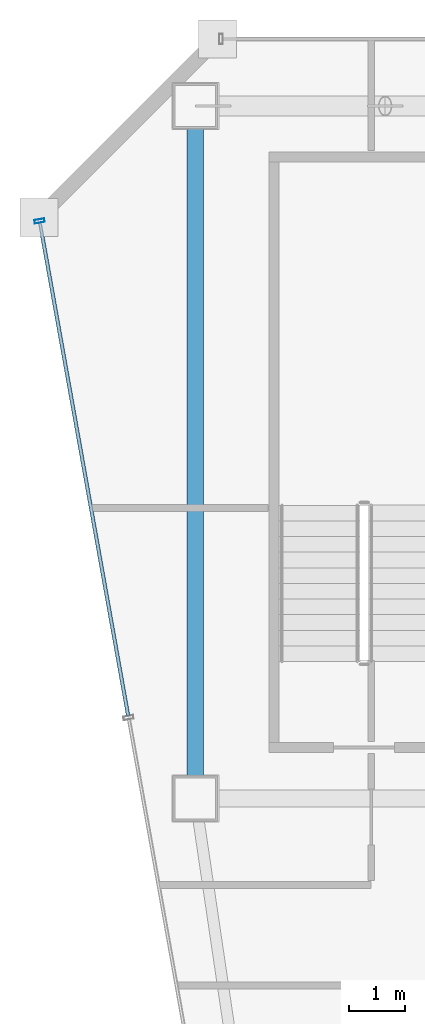
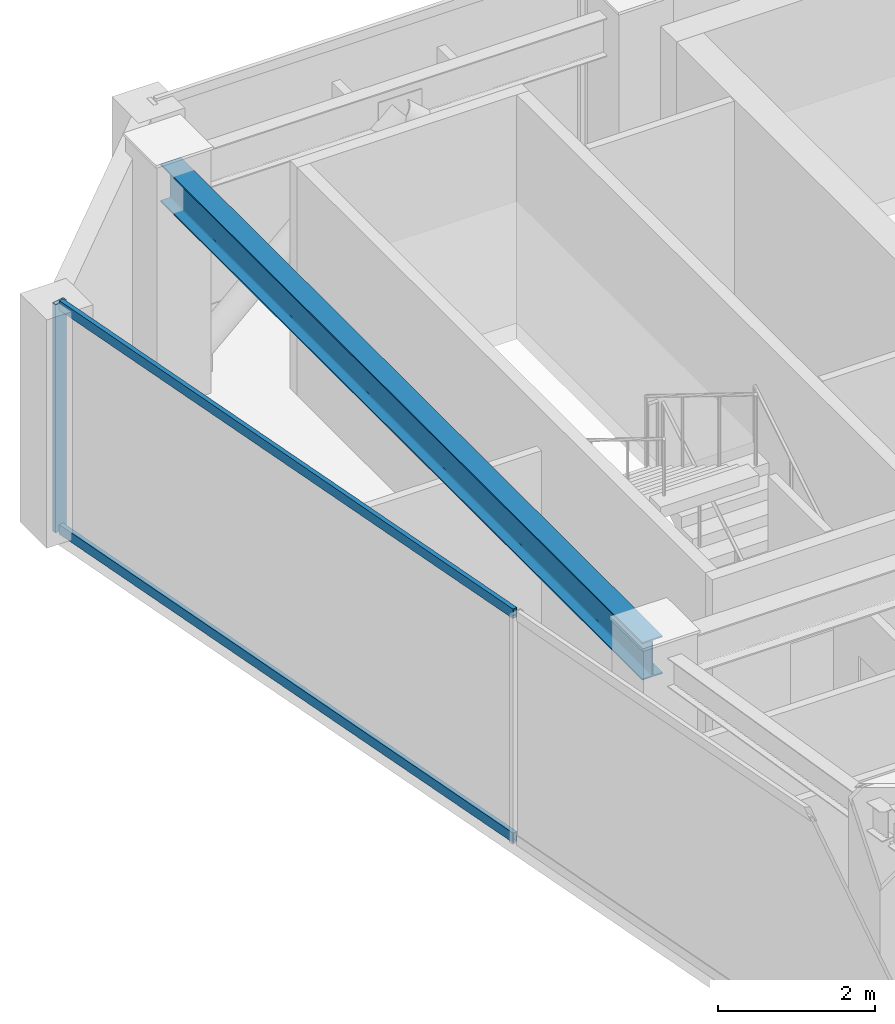
# One storey, part 10 of 32: 3 members, 1 beam, 1 element without a shape of its own.
"""IFC4 building model written with IfcOpenShell, lengths in metres."""

from ifc_helpers import new_model, si_unit, direction, frame, origin, origin_2d, place, context, subcontext, project, spatial, hollow_rectangle, i_section, extrude, material, material_profile, profile_set, type_object, element, aggregate, save


model = new_model("IFC4")

# Units and contexts
model_context = context("Model", 3, precision=1e-05, world=origin(), true_north=direction((0.0, 1.0)))
body_context = subcontext(model_context, "Body", "Model", "MODEL_VIEW")
ifc_project = project(units=[si_unit("LENGTHUNIT", "METRE"), si_unit("AREAUNIT", "SQUARE_METRE"), si_unit("VOLUMEUNIT", "CUBIC_METRE"), si_unit("PLANEANGLEUNIT", "RADIAN"), si_unit("MASSUNIT", "GRAM", prefix="KILO")], contexts=[model_context])

# Site, building, storey
site_placement = place(None, origin())
site = spatial("IfcSite", under=ifc_project, at=site_placement, CompositionType="ELEMENT")
building_placement = place(site_placement, origin())
building = spatial("IfcBuilding", under=site, at=building_placement, Name="Saevonmaru Cultural Tower", CompositionType="ELEMENT")
storey_placement = place(building_placement, frame((0.0, 0.0, 257.199951171875)))
storey = spatial("IfcBuildingStorey", under=building, at=storey_placement, Name="L60", CompositionType="ELEMENT", Elevation=257.199951171875)

# Beam
ifc_material_1 = material(Name="Steel SM355", Category="steel")
ifc_material_profile_1 = material_profile(ifc_material_1, i_section(OverallWidth=0.300048828125, OverallDepth=0.587890625, WebThickness=0.011962890625, FlangeThickness=0.02001953125, FilletRadius=0.02392578125, at=origin_2d()), Name="H-588x300x12x20")
ifc_profile_set_1 = profile_set([ifc_material_profile_1], Name="Steel SM355")
beam_type = type_object("IfcBeamType", Name="BM-G-H588", PredefinedType="BEAM", material=ifc_profile_set_1)
beam_placement = place(storey_placement, frame((6.800048828125, 54.739990234375, 3.256103515625), z_axis=(0.0, -1.0, 0.0), x_axis=(1.0, 0.0, 0.0)))
element("IfcBeam", 1, at=beam_placement, inside=storey, type_object=beam_type, Name="L60 Spine Transverse Girder W", PredefinedType="BEAM", context=body_context, shape_type="SweptSolid", body=[
    extrude(i_section(OverallWidth=0.300048828125, OverallDepth=0.587890625, WebThickness=0.011962890625, FlangeThickness=0.02001953125, FilletRadius=0.02392578125, at=origin_2d()), origin(), (0.0, 0.0, 1.0), 12.280029296875),
])

# Curtain wall, members
ifc_material_2 = material(Name="Satin Bronze Anodised Aluminium", Category="aluminium")
curtain_wall_type = type_object("IfcCurtainWallType", Name="CW-TYP-B", PredefinedType="NOTDEFINED", material=ifc_material_2)
curtain_wall_placement = place(storey_placement, origin())
curtain_wall = element("IfcCurtainWall", 2, at=curtain_wall_placement, inside=storey, type_object=curtain_wall_type, Name="L60 Unitised Curtain Wall E12", PredefinedType="NOTDEFINED")
ifc_material_profile_2 = material_profile(ifc_material_2, hollow_rectangle(XDim=0.06494140625, YDim=0.179931640625, WallThickness=0.00390625, at=origin_2d()), Name="ALU-MULL-180x65x4")
ifc_profile_set_2 = profile_set([ifc_material_profile_2], Name="Satin Bronze Anodised Aluminium")
member_type_1 = type_object("IfcMemberType", Name="ML-CW-180x65", PredefinedType="MULLION", material=ifc_profile_set_2)
member_1_placement = place(storey_placement, frame((4.010498046875, 52.740966796875, 0.0), z_axis=(0.0, 0.0, 1.0), x_axis=(0.176140740755, -0.984364993001, 0.0)))
member_1 = element("IfcMember", 3, at=member_1_placement, type_object=member_type_1, Name="CW-TW-L60-E12 mullion 1", PredefinedType="MULLION", context=body_context, shape_type="SweptSolid", body=[
    extrude(hollow_rectangle(XDim=0.06494140625, YDim=0.179931640625, WallThickness=0.00390625, at=origin_2d()), origin(), (0.0, 0.0, 1.0), 3.550048828125),
])
ifc_material_profile_3 = material_profile(ifc_material_2, hollow_rectangle(XDim=0.06494140625, YDim=0.14990234375, WallThickness=0.00390625, at=origin_2d()), Name="ALU-TRAN-150x65x4")
ifc_profile_set_3 = profile_set([ifc_material_profile_3], Name="Satin Bronze Anodised Aluminium")
member_type_2 = type_object("IfcMemberType", Name="TR-CW-150x65", PredefinedType="USERDEFINED", material=ifc_profile_set_3)
member_2_placement = place(storey_placement, frame((4.016357421875, 52.708984375, 0.032470703125), z_axis=(0.176144810911, -0.984364264685, 0.0), x_axis=(0.984364264685, 0.176144810911, 0.0)))
member_2 = element("IfcMember", 4, at=member_2_placement, type_object=member_type_2, Name="CW-TW-L60-E12 transom 1.1", ObjectType="TRANSOM", PredefinedType="USERDEFINED", context=body_context, shape_type="SweptSolid", body=[
    extrude(hollow_rectangle(XDim=0.06494140625, YDim=0.14990234375, WallThickness=0.00390625, at=origin_2d()), origin(), (0.0, 0.0, 1.0), 8.97021484375),
])
member_3_placement = place(storey_placement, frame((4.016357421875, 52.708984375, 3.517578125), z_axis=(0.176144810911, -0.984364264685, 0.0), x_axis=(0.984364264685, 0.176144810911, 0.0)))
member_3 = element("IfcMember", 5, at=member_3_placement, type_object=member_type_2, Name="CW-TW-L60-E12 transom 1.2", ObjectType="TRANSOM", PredefinedType="USERDEFINED", context=body_context, shape_type="SweptSolid", body=[
    extrude(hollow_rectangle(XDim=0.06494140625, YDim=0.14990234375, WallThickness=0.00390625, at=origin_2d()), origin(), (0.0, 0.0, 1.0), 8.97021484375),
])
aggregate(curtain_wall, [member_1, member_2, member_3])

save(model, "model.ifc")
